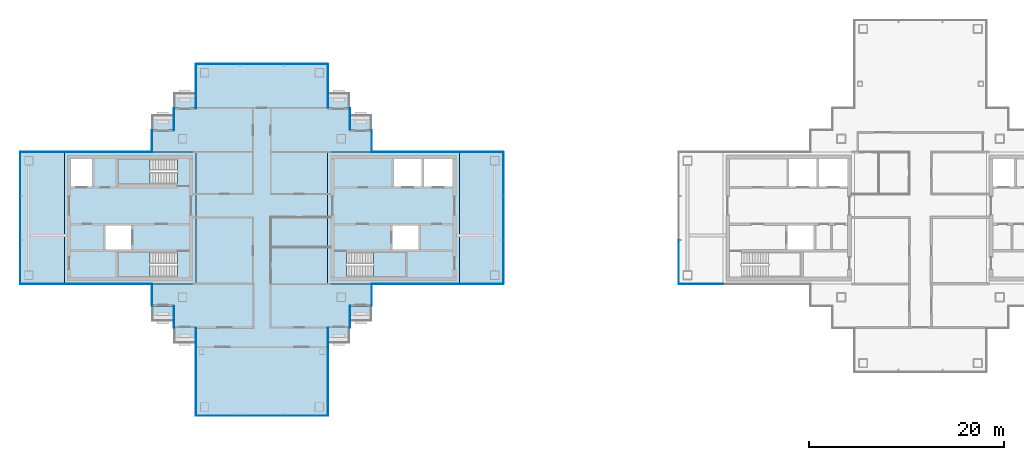
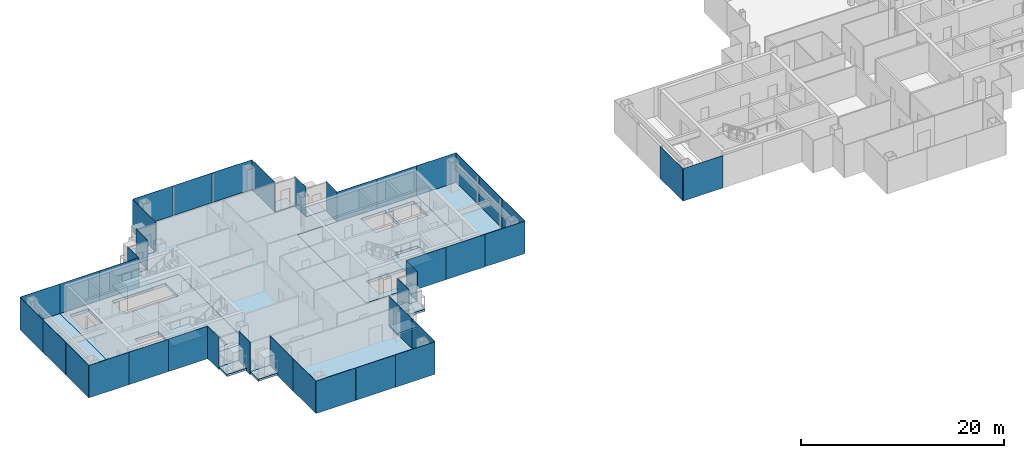
# One storey, part 7 of 16: 40 plates, 16 slabs, 25 elements without a shape of their own.
"""IFC4 building model written with IfcOpenShell, lengths in metres."""

from ifc_helpers import new_model, si_unit, direction, frame, origin, origin_2d, place, context, subcontext, project, spatial, polyline, rectangle, outline, extrude, material, layer, layer_set, type_object, element, aggregate, save


model = new_model("IFC4")

# Units and contexts
model_context = context("Model", 3, precision=1e-05, world=origin(), true_north=direction((0.0, 1.0)))
body_context = subcontext(model_context, "Body", "Model", "MODEL_VIEW")
ifc_project = project(units=[si_unit("LENGTHUNIT", "METRE"), si_unit("AREAUNIT", "SQUARE_METRE"), si_unit("VOLUMEUNIT", "CUBIC_METRE"), si_unit("PLANEANGLEUNIT", "RADIAN"), si_unit("MASSUNIT", "GRAM", prefix="KILO")], contexts=[model_context])

# Site, building, storey
site_placement = place(None, origin())
site = spatial("IfcSite", under=ifc_project, at=site_placement, CompositionType="ELEMENT")
building_placement = place(site_placement, origin())
building = spatial("IfcBuilding", under=site, at=building_placement, Name="Shamsa Quay Exchange Towers", CompositionType="ELEMENT")
storey_placement = place(building_placement, frame((0.0, 0.0, 261.60009765625)))
storey = spatial("IfcBuildingStorey", under=building, at=storey_placement, Name="L63", CompositionType="ELEMENT", Elevation=261.60009765625)

# Slabs
ifc_material_1 = material(Name="Precast concrete C40/50", Category="concrete")
ifc_layer_1 = layer(ifc_material_1, 0.25)
ifc_layer_set_1 = layer_set([ifc_layer_1], Name="BALCONY SLAB 250")
slab_type_1 = type_object("IfcSlabType", Name="BALCONY SLAB 250", PredefinedType="FLOOR", material=ifc_layer_set_1)
slab_1_placement = place(storey_placement, frame((0.0, 0.0, -0.25)))
element("IfcSlab", 1, at=slab_1_placement, inside=storey, type_object=slab_type_1, Name="Balcony T1-PKEN L63", PredefinedType="FLOOR", context=body_context, shape_type="SweptSolid", body=[
    extrude(outline(polyline([(-22.5, 9.0), (-24.7119140625, 9.0), (-24.7119140625, 10.550048828125), (-22.5, 10.550048828125), (-22.5, 9.0)])), origin(), (0.0, 0.0, 1.0), 0.25),
])
slab_2_placement = place(storey_placement, frame((0.0, 0.0, -0.25)))
element("IfcSlab", 2, at=slab_2_placement, inside=storey, type_object=slab_type_1, Name="Balcony T1-PKEN L63", PredefinedType="FLOOR", context=body_context, shape_type="SweptSolid", body=[
    extrude(outline(polyline([(-24.75, 11.25), (-26.9619140625, 11.25), (-26.9619140625, 12.800048828125), (-24.75, 12.800048828125), (-24.75, 11.25)])), origin(), (0.0, 0.0, 1.0), 0.25),
])
slab_3_placement = place(storey_placement, frame((0.0, 0.0, -0.25)))
element("IfcSlab", 3, at=slab_3_placement, inside=storey, type_object=slab_type_1, Name="Balcony T1-PKES L63", PredefinedType="FLOOR", context=body_context, shape_type="SweptSolid", body=[
    extrude(outline(polyline([(-24.7119140625, -9.0), (-22.5, -9.0), (-22.5, -10.550048828125), (-24.7119140625, -10.550048828125), (-24.7119140625, -9.0)])), origin(), (0.0, 0.0, 1.0), 0.25),
])
slab_4_placement = place(storey_placement, frame((0.0, 0.0, -0.25)))
element("IfcSlab", 4, at=slab_4_placement, inside=storey, type_object=slab_type_1, Name="Balcony T1-PKES L63", PredefinedType="FLOOR", context=body_context, shape_type="SweptSolid", body=[
    extrude(outline(polyline([(-26.9619140625, -11.25), (-24.75, -11.25), (-24.75, -12.800048828125), (-26.9619140625, -12.800048828125), (-26.9619140625, -11.25)])), origin(), (0.0, 0.0, 1.0), 0.25),
])
slab_5_placement = place(storey_placement, frame((0.0, 0.0, -0.25)))
element("IfcSlab", 5, at=slab_5_placement, inside=storey, type_object=slab_type_1, Name="Balcony T1-PKWN L63", PredefinedType="FLOOR", context=body_context, shape_type="SweptSolid", body=[
    extrude(outline(polyline([(-40.5380859375, 11.25), (-42.75, 11.25), (-42.75, 12.800048828125), (-40.5380859375, 12.800048828125), (-40.5380859375, 11.25)])), origin(), (0.0, 0.0, 1.0), 0.25),
])
slab_6_placement = place(storey_placement, frame((0.0, 0.0, -0.25)))
element("IfcSlab", 6, at=slab_6_placement, inside=storey, type_object=slab_type_1, Name="Balcony T1-PKWN L63", PredefinedType="FLOOR", context=body_context, shape_type="SweptSolid", body=[
    extrude(outline(polyline([(-42.7880859375, 9.0), (-45.0, 9.0), (-45.0, 10.550048828125), (-42.7880859375, 10.550048828125), (-42.7880859375, 9.0)])), origin(), (0.0, 0.0, 1.0), 0.25),
])
slab_7_placement = place(storey_placement, frame((0.0, 0.0, -0.25)))
element("IfcSlab", 7, at=slab_7_placement, inside=storey, type_object=slab_type_1, Name="Balcony T1-PKWS L63", PredefinedType="FLOOR", context=body_context, shape_type="SweptSolid", body=[
    extrude(outline(polyline([(-45.0, -9.0), (-42.7880859375, -9.0), (-42.7880859375, -10.550048828125), (-45.0, -10.550048828125), (-45.0, -9.0)])), origin(), (0.0, 0.0, 1.0), 0.25),
])
slab_8_placement = place(storey_placement, frame((0.0, 0.0, -0.25)))
element("IfcSlab", 8, at=slab_8_placement, inside=storey, type_object=slab_type_1, Name="Balcony T1-PKWS L63", PredefinedType="FLOOR", context=body_context, shape_type="SweptSolid", body=[
    extrude(outline(polyline([(-42.75, -11.25), (-40.5380859375, -11.25), (-40.5380859375, -12.800048828125), (-42.75, -12.800048828125), (-42.75, -11.25)])), origin(), (0.0, 0.0, 1.0), 0.25),
])
ifc_material_2 = material(Name="Concrete C50/60", Category="concrete")
ifc_layer_2 = layer(ifc_material_2, 0.35009765625)
ifc_layer_set_2 = layer_set([ifc_layer_2], Name="CORE FLOOR 350 C50/60")
slab_type_2 = type_object("IfcSlabType", Name="CORE FLOOR 350 C50/60", PredefinedType="FLOOR", material=ifc_layer_set_2)
slab_9_placement = place(storey_placement, frame((0.0, 0.0, -0.35009765625)))
element("IfcSlab", 9, at=slab_9_placement, inside=storey, type_object=slab_type_2, Name="Core floor T1A", PredefinedType="FLOOR", context=body_context, shape_type="SweptSolid", body=[
    extrude(outline(polyline([(-27.0, -6.75), (-13.5, -6.75), (-13.5, 6.75), (-27.0, 6.75), (-27.0, -6.75)]), holes=[polyline([(-25.099365234375, -6.050048828125), (-25.099365234375, -3.5), (-19.0, -3.5), (-19.0, -6.050048828125), (-25.099365234375, -6.050048828125)]), polyline([(-20.199951171875, 3.25), (-20.199951171875, 6.050048828125), (-17.39990234375, 6.050048828125), (-17.39990234375, 3.25), (-20.199951171875, 3.25)]), polyline([(-17.14990234375, 3.25), (-17.14990234375, 6.050048828125), (-14.199951171875, 6.050048828125), (-14.199951171875, 3.25), (-17.14990234375, 3.25)]), polyline([(-20.35009765625, -3.25), (-20.35009765625, -0.75), (-17.699951171875, -0.75), (-17.699951171875, -3.25), (-20.35009765625, -3.25)])]), origin(), (0.0, 0.0, 1.0), 0.35009765625),
])
slab_10_placement = place(storey_placement, frame((0.0, 0.0, -0.35009765625)))
element("IfcSlab", 10, at=slab_10_placement, inside=storey, type_object=slab_type_2, Name="Core floor T1B", PredefinedType="FLOOR", context=body_context, shape_type="SweptSolid", body=[
    extrude(outline(polyline([(-40.5, -6.75), (-40.5, 6.75), (-54.0, 6.75), (-54.0, -6.75), (-40.5, -6.75)]), holes=[polyline([(-42.400634765625, -3.5), (-42.400634765625, -6.050048828125), (-48.5, -6.050048828125), (-48.5, -3.5), (-42.400634765625, -3.5)]), polyline([(-42.400634765625, 6.050048828125), (-42.400634765625, 3.5), (-48.5, 3.5), (-48.5, 6.050048828125), (-42.400634765625, 6.050048828125)]), polyline([(-51.14990234375, 3.25), (-53.300048828125, 3.25), (-53.300048828125, 6.050048828125), (-51.14990234375, 6.050048828125), (-51.14990234375, 3.25)]), polyline([(-47.14990234375, -3.25), (-49.800048828125, -3.25), (-49.800048828125, -0.75), (-47.14990234375, -0.75), (-47.14990234375, -3.25)])]), origin(), (0.0, 0.0, 1.0), 0.35009765625),
])

# Stair, slab
ifc_material_3 = material(Name="Concrete C40/50", Category="concrete")
stair_type = type_object("IfcStairType", Name="EXIT STAIR 22 RISERS 177 MM", PredefinedType="HALF_TURN_STAIR", material=ifc_material_3)
stair_1_placement = place(storey_placement, origin())
stair_1 = element("IfcStair", 11, at=stair_1_placement, inside=storey, type_object=stair_type, Name="L63 Exit stair ST1", PredefinedType="HALF_TURN_STAIR")
ifc_layer_3 = layer(ifc_material_3, 0.199951171875)
ifc_layer_set_3 = layer_set([ifc_layer_3], Name="CORE STAIR LANDING")
slab_type_3 = type_object("IfcSlabType", Name="CORE STAIR LANDING", PredefinedType="LANDING", material=ifc_layer_set_3)
slab_11_placement = place(storey_placement, frame((0.0, 0.0, 1.75)))
slab_11 = element("IfcSlab", 12, at=slab_11_placement, type_object=slab_type_3, Name="ST1 landing 1", PredefinedType="LANDING", context=body_context, shape_type="SweptSolid", body=[
    extrude(outline(polyline([(-22.300048828125, -6.050048828125), (-19.0, -6.050048828125), (-19.0, -3.5), (-22.300048828125, -3.5), (-22.300048828125, -6.050048828125)])), origin(), (0.0, 0.0, 1.0), 0.199951171875),
])
aggregate(stair_1, [slab_11])

stair_2_placement = place(storey_placement, origin())
stair_2 = element("IfcStair", 13, at=stair_2_placement, inside=storey, type_object=stair_type, Name="L63 Exit stair ST2", PredefinedType="HALF_TURN_STAIR")
slab_12_placement = place(storey_placement, frame((0.0, 0.0, 1.75)))
slab_12 = element("IfcSlab", 14, at=slab_12_placement, type_object=slab_type_3, Name="ST2 landing 1", PredefinedType="LANDING", context=body_context, shape_type="SweptSolid", body=[
    extrude(outline(polyline([(-45.199951171875, -3.5), (-48.5, -3.5), (-48.5, -6.050048828125), (-45.199951171875, -6.050048828125), (-45.199951171875, -3.5)])), origin(), (0.0, 0.0, 1.0), 0.199951171875),
])
aggregate(stair_2, [slab_12])

stair_3_placement = place(storey_placement, origin())
stair_3 = element("IfcStair", 15, at=stair_3_placement, inside=storey, type_object=stair_type, Name="L63 Exit stair ST3", PredefinedType="HALF_TURN_STAIR")
slab_13_placement = place(storey_placement, frame((0.0, 0.0, 1.75)))
slab_13 = element("IfcSlab", 16, at=slab_13_placement, type_object=slab_type_3, Name="ST3 landing 1", PredefinedType="LANDING", context=body_context, shape_type="SweptSolid", body=[
    extrude(outline(polyline([(-45.199951171875, 6.050048828125), (-48.5, 6.050048828125), (-48.5, 3.5), (-45.199951171875, 3.5), (-45.199951171875, 6.050048828125)])), origin(), (0.0, 0.0, 1.0), 0.199951171875),
])
aggregate(stair_3, [slab_13])

# Curtain wall, plates
ifc_material_4 = material(Name="Aluminium EN AW-6063 T6, black anodised", Category="aluminium")
ifc_layer_4 = layer(ifc_material_4, 0.280029296875)
ifc_layer_set_4 = layer_set([ifc_layer_4], Name="CW-1 UNITISED VISION GLASS")
curtain_wall_type_1 = type_object("IfcCurtainWallType", Name="CW-1 UNITISED VISION GLASS", PredefinedType="NOTDEFINED", material=ifc_layer_set_4)
curtain_wall_1_placement = place(storey_placement, origin())
curtain_wall_1 = element("IfcCurtainWall", 17, at=curtain_wall_1_placement, inside=storey, type_object=curtain_wall_type_1, Name="CW1 T1-FLK-V-W L63", PredefinedType="NOTDEFINED")
ifc_material_5 = material(Name="Glass, laminated, dark tinted", Category="glass")
ifc_layer_5 = layer(ifc_material_5, 0.0400390625)
ifc_layer_set_5 = layer_set([ifc_layer_5], Name="CW-1 VISION GLASS 40")
plate_type_1 = type_object("IfcPlateType", Name="CW-1 VISION GLASS 40", PredefinedType="CURTAIN_PANEL", material=ifc_layer_set_5)
plate_1_placement = place(storey_placement, frame((-40.52001953125, -13.52587890625, -0.35009765625), z_axis=(0.0, 0.0, 1.0), x_axis=(0.0, -1.0, 0.0)))
plate_1 = element("IfcPlate", 18, at=plate_1_placement, type_object=plate_type_1, Name="CW1 glass panel", PredefinedType="CURTAIN_PANEL", context=body_context, shape_type="SweptSolid", body=[
    extrude(rectangle(XDim=4.47607421875, YDim=0.0400390625, at=origin_2d()), origin(), (0.0, 0.0, 1.0), 3.89990234375),
])
plate_2_placement = place(storey_placement, frame((-40.52001953125, -18.011962890625, -0.35009765625), z_axis=(0.0, 0.0, 1.0), x_axis=(0.0, -1.0, 0.0)))
plate_2 = element("IfcPlate", 19, at=plate_2_placement, type_object=plate_type_1, Name="CW1 glass panel", PredefinedType="CURTAIN_PANEL", context=body_context, shape_type="SweptSolid", body=[
    extrude(rectangle(XDim=4.47607421875, YDim=0.0400390625, at=origin_2d()), origin(), (0.0, 0.0, 1.0), 3.89990234375),
])
aggregate(curtain_wall_1, [plate_1, plate_2])

curtain_wall_2_placement = place(storey_placement, origin())
curtain_wall_2 = element("IfcCurtainWall", 20, at=curtain_wall_2_placement, inside=storey, type_object=curtain_wall_type_1, Name="CW1 T1-END-V- L63", PredefinedType="NOTDEFINED")
plate_3_placement = place(storey_placement, frame((-38.25244140625, -20.27001953125, -0.35009765625)))
plate_3 = element("IfcPlate", 21, at=plate_3_placement, type_object=plate_type_1, Name="CW1 glass panel", PredefinedType="CURTAIN_PANEL", context=body_context, shape_type="SweptSolid", body=[
    extrude(rectangle(XDim=4.4951171875, YDim=0.0400390625, at=origin_2d()), origin(), (0.0, 0.0, 1.0), 3.89990234375),
])
plate_4_placement = place(storey_placement, frame((-33.75, -20.27001953125, -0.35009765625)))
plate_4 = element("IfcPlate", 22, at=plate_4_placement, type_object=plate_type_1, Name="CW1 glass panel", PredefinedType="CURTAIN_PANEL", context=body_context, shape_type="SweptSolid", body=[
    extrude(rectangle(XDim=4.489990234375, YDim=0.0400390625, at=origin_2d()), origin(), (0.0, 0.0, 1.0), 3.89990234375),
])
plate_5_placement = place(storey_placement, frame((-29.24755859375, -20.27001953125, -0.35009765625)))
plate_5 = element("IfcPlate", 23, at=plate_5_placement, type_object=plate_type_1, Name="CW1 glass panel", PredefinedType="CURTAIN_PANEL", context=body_context, shape_type="SweptSolid", body=[
    extrude(rectangle(XDim=4.4951171875, YDim=0.0400390625, at=origin_2d()), origin(), (0.0, 0.0, 1.0), 3.89990234375),
])
aggregate(curtain_wall_2, [plate_3, plate_4, plate_5])

curtain_wall_3_placement = place(storey_placement, origin())
curtain_wall_3 = element("IfcCurtainWall", 24, at=curtain_wall_3_placement, inside=storey, type_object=curtain_wall_type_1, Name="CW1 T1-FLK-V-E L63", PredefinedType="NOTDEFINED")
plate_6_placement = place(storey_placement, frame((-26.97998046875, -18.00244140625, -0.35009765625), z_axis=(0.0, 0.0, 1.0), x_axis=(0.0, 1.0, 0.0)))
plate_6 = element("IfcPlate", 25, at=plate_6_placement, type_object=plate_type_1, Name="CW1 glass panel", PredefinedType="CURTAIN_PANEL", context=body_context, shape_type="SweptSolid", body=[
    extrude(rectangle(XDim=4.4951171875, YDim=0.0400390625, at=origin_2d()), origin(), (0.0, 0.0, 1.0), 3.89990234375),
])
plate_7_placement = place(storey_placement, frame((-26.97998046875, -13.49755859375, -0.35009765625), z_axis=(0.0, 0.0, 1.0), x_axis=(0.0, 1.0, 0.0)))
plate_7 = element("IfcPlate", 26, at=plate_7_placement, type_object=plate_type_1, Name="CW1 glass panel", PredefinedType="CURTAIN_PANEL", context=body_context, shape_type="SweptSolid", body=[
    extrude(rectangle(XDim=4.4951171875, YDim=0.0400390625, at=origin_2d()), origin(), (0.0, 0.0, 1.0), 3.89990234375),
])
aggregate(curtain_wall_3, [plate_6, plate_7])

# Curtain wall, plate
curtain_wall_4_placement = place(storey_placement, origin())
curtain_wall_4 = element("IfcCurtainWall", 27, at=curtain_wall_4_placement, inside=storey, type_object=curtain_wall_type_1, Name="CW1 T1-FLK-U+S L63", PredefinedType="NOTDEFINED")
plate_8_placement = place(storey_placement, frame((-11.25, -6.77001953125, -0.35009765625)))
plate_8 = element("IfcPlate", 28, at=plate_8_placement, type_object=plate_type_1, Name="CW1 glass panel", PredefinedType="CURTAIN_PANEL", context=body_context, shape_type="SweptSolid", body=[
    extrude(rectangle(XDim=4.5, YDim=0.0400390625, at=origin_2d()), origin(), (0.0, 0.0, 1.0), 3.89990234375),
])
aggregate(curtain_wall_4, [plate_8])

# Curtain wall, plates
curtain_wall_5_placement = place(storey_placement, origin())
curtain_wall_5 = element("IfcCurtainWall", 29, at=curtain_wall_5_placement, inside=storey, type_object=curtain_wall_type_1, Name="CW1 T1-END-U+ L63", PredefinedType="NOTDEFINED")
plate_9_placement = place(storey_placement, frame((-8.97998046875, -4.50244140625, -0.35009765625), z_axis=(0.0, 0.0, 1.0), x_axis=(0.0, 1.0, 0.0)))
plate_9 = element("IfcPlate", 30, at=plate_9_placement, type_object=plate_type_1, Name="CW1 glass panel", PredefinedType="CURTAIN_PANEL", context=body_context, shape_type="SweptSolid", body=[
    extrude(rectangle(XDim=4.4951171875, YDim=0.0400390625, at=origin_2d()), origin(), (0.0, 0.0, 1.0), 3.89990234375),
])
plate_10_placement = place(storey_placement, frame((-8.97998046875, 0.0, -0.35009765625), z_axis=(0.0, 0.0, 1.0), x_axis=(0.0, 1.0, 0.0)))
plate_10 = element("IfcPlate", 31, at=plate_10_placement, type_object=plate_type_1, Name="CW1 glass panel", PredefinedType="CURTAIN_PANEL", context=body_context, shape_type="SweptSolid", body=[
    extrude(rectangle(XDim=4.489990234375, YDim=0.0400390625, at=origin_2d()), origin(), (0.0, 0.0, 1.0), 3.89990234375),
])
plate_11_placement = place(storey_placement, frame((-8.97998046875, 4.50244140625, -0.35009765625), z_axis=(0.0, 0.0, 1.0), x_axis=(0.0, 1.0, 0.0)))
plate_11 = element("IfcPlate", 32, at=plate_11_placement, type_object=plate_type_1, Name="CW1 glass panel", PredefinedType="CURTAIN_PANEL", context=body_context, shape_type="SweptSolid", body=[
    extrude(rectangle(XDim=4.4951171875, YDim=0.0400390625, at=origin_2d()), origin(), (0.0, 0.0, 1.0), 3.89990234375),
])
aggregate(curtain_wall_5, [plate_9, plate_10, plate_11])

# Curtain wall, plate
curtain_wall_6_placement = place(storey_placement, origin())
curtain_wall_6 = element("IfcCurtainWall", 33, at=curtain_wall_6_placement, inside=storey, type_object=curtain_wall_type_1, Name="CW1 T1-FLK-U+N L63", PredefinedType="NOTDEFINED")
plate_12_placement = place(storey_placement, frame((-11.25, 6.77001953125, -0.35009765625), z_axis=(0.0, 0.0, 1.0), x_axis=(-1.0, 0.0, 0.0)))
plate_12 = element("IfcPlate", 34, at=plate_12_placement, type_object=plate_type_1, Name="CW1 glass panel", PredefinedType="CURTAIN_PANEL", context=body_context, shape_type="SweptSolid", body=[
    extrude(rectangle(XDim=4.5, YDim=0.0400390625, at=origin_2d()), origin(), (0.0, 0.0, 1.0), 3.89990234375),
])
aggregate(curtain_wall_6, [plate_12])

curtain_wall_7_placement = place(storey_placement, origin())
curtain_wall_7 = element("IfcCurtainWall", 35, at=curtain_wall_7_placement, inside=storey, type_object=curtain_wall_type_1, Name="CW1 T1-FLK-V+E L63", PredefinedType="NOTDEFINED")
plate_13_placement = place(storey_placement, frame((-26.97998046875, 13.51904296875, -0.35009765625), z_axis=(0.0, 0.0, 1.0), x_axis=(0.0, 1.0, 0.0)))
plate_13 = element("IfcPlate", 36, at=plate_13_placement, type_object=plate_type_1, Name="CW1 glass panel", PredefinedType="CURTAIN_PANEL", context=body_context, shape_type="SweptSolid", body=[
    extrude(rectangle(XDim=4.4619140625, YDim=0.0400390625, at=origin_2d()), origin(), (0.0, 0.0, 1.0), 3.89990234375),
])
aggregate(curtain_wall_7, [plate_13])

# Curtain wall, plates
curtain_wall_8_placement = place(storey_placement, origin())
curtain_wall_8 = element("IfcCurtainWall", 37, at=curtain_wall_8_placement, inside=storey, type_object=curtain_wall_type_1, Name="CW1 T1-END-V+ L63", PredefinedType="NOTDEFINED")
plate_14_placement = place(storey_placement, frame((-29.24755859375, 15.77001953125, -0.35009765625), z_axis=(0.0, 0.0, 1.0), x_axis=(-1.0, 0.0, 0.0)))
plate_14 = element("IfcPlate", 38, at=plate_14_placement, type_object=plate_type_1, Name="CW1 glass panel", PredefinedType="CURTAIN_PANEL", context=body_context, shape_type="SweptSolid", body=[
    extrude(rectangle(XDim=4.4951171875, YDim=0.0400390625, at=origin_2d()), origin(), (0.0, 0.0, 1.0), 3.89990234375),
])
plate_15_placement = place(storey_placement, frame((-33.75, 15.77001953125, -0.35009765625), z_axis=(0.0, 0.0, 1.0), x_axis=(-1.0, 0.0, 0.0)))
plate_15 = element("IfcPlate", 39, at=plate_15_placement, type_object=plate_type_1, Name="CW1 glass panel", PredefinedType="CURTAIN_PANEL", context=body_context, shape_type="SweptSolid", body=[
    extrude(rectangle(XDim=4.489990234375, YDim=0.0400390625, at=origin_2d()), origin(), (0.0, 0.0, 1.0), 3.89990234375),
])
plate_16_placement = place(storey_placement, frame((-38.25244140625, 15.77001953125, -0.35009765625), z_axis=(0.0, 0.0, 1.0), x_axis=(-1.0, 0.0, 0.0)))
plate_16 = element("IfcPlate", 40, at=plate_16_placement, type_object=plate_type_1, Name="CW1 glass panel", PredefinedType="CURTAIN_PANEL", context=body_context, shape_type="SweptSolid", body=[
    extrude(rectangle(XDim=4.4951171875, YDim=0.0400390625, at=origin_2d()), origin(), (0.0, 0.0, 1.0), 3.89990234375),
])
aggregate(curtain_wall_8, [plate_14, plate_15, plate_16])

# Curtain wall, plate
curtain_wall_9_placement = place(storey_placement, origin())
curtain_wall_9 = element("IfcCurtainWall", 41, at=curtain_wall_9_placement, inside=storey, type_object=curtain_wall_type_1, Name="CW1 T1-FLK-V+W L63", PredefinedType="NOTDEFINED")
plate_17_placement = place(storey_placement, frame((-40.52001953125, 13.5, -0.35009765625), z_axis=(0.0, 0.0, 1.0), x_axis=(0.0, -1.0, 0.0)))
plate_17 = element("IfcPlate", 42, at=plate_17_placement, type_object=plate_type_1, Name="CW1 glass panel", PredefinedType="CURTAIN_PANEL", context=body_context, shape_type="SweptSolid", body=[
    extrude(rectangle(XDim=4.5, YDim=0.0400390625, at=origin_2d()), origin(), (0.0, 0.0, 1.0), 3.89990234375),
])
aggregate(curtain_wall_9, [plate_17])

curtain_wall_10_placement = place(storey_placement, origin())
curtain_wall_10 = element("IfcCurtainWall", 43, at=curtain_wall_10_placement, inside=storey, type_object=curtain_wall_type_1, Name="CW1 T1-FLK-U-N L63", PredefinedType="NOTDEFINED")
plate_18_placement = place(storey_placement, frame((-56.25, 6.77001953125, -0.35009765625), z_axis=(0.0, 0.0, 1.0), x_axis=(-1.0, 0.0, 0.0)))
plate_18 = element("IfcPlate", 44, at=plate_18_placement, type_object=plate_type_1, Name="CW1 glass panel", PredefinedType="CURTAIN_PANEL", context=body_context, shape_type="SweptSolid", body=[
    extrude(rectangle(XDim=4.5, YDim=0.0400390625, at=origin_2d()), origin(), (0.0, 0.0, 1.0), 3.89990234375),
])
aggregate(curtain_wall_10, [plate_18])

# Curtain wall, plates
curtain_wall_11_placement = place(storey_placement, origin())
curtain_wall_11 = element("IfcCurtainWall", 45, at=curtain_wall_11_placement, inside=storey, type_object=curtain_wall_type_1, Name="CW1 T1-END-U- L63", PredefinedType="NOTDEFINED")
plate_19_placement = place(storey_placement, frame((-58.52001953125, 4.50244140625, -0.35009765625), z_axis=(0.0, 0.0, 1.0), x_axis=(0.0, -1.0, 0.0)))
plate_19 = element("IfcPlate", 46, at=plate_19_placement, type_object=plate_type_1, Name="CW1 glass panel", PredefinedType="CURTAIN_PANEL", context=body_context, shape_type="SweptSolid", body=[
    extrude(rectangle(XDim=4.4951171875, YDim=0.0400390625, at=origin_2d()), origin(), (0.0, 0.0, 1.0), 3.89990234375),
])
plate_20_placement = place(storey_placement, frame((-58.52001953125, 0.0, -0.35009765625), z_axis=(0.0, 0.0, 1.0), x_axis=(0.0, -1.0, 0.0)))
plate_20 = element("IfcPlate", 47, at=plate_20_placement, type_object=plate_type_1, Name="CW1 glass panel", PredefinedType="CURTAIN_PANEL", context=body_context, shape_type="SweptSolid", body=[
    extrude(rectangle(XDim=4.489990234375, YDim=0.0400390625, at=origin_2d()), origin(), (0.0, 0.0, 1.0), 3.89990234375),
])
plate_21_placement = place(storey_placement, frame((-58.52001953125, -4.50244140625, -0.35009765625), z_axis=(0.0, 0.0, 1.0), x_axis=(0.0, -1.0, 0.0)))
plate_21 = element("IfcPlate", 48, at=plate_21_placement, type_object=plate_type_1, Name="CW1 glass panel", PredefinedType="CURTAIN_PANEL", context=body_context, shape_type="SweptSolid", body=[
    extrude(rectangle(XDim=4.4951171875, YDim=0.0400390625, at=origin_2d()), origin(), (0.0, 0.0, 1.0), 3.89990234375),
])
aggregate(curtain_wall_11, [plate_19, plate_20, plate_21])

# Curtain wall, plate
curtain_wall_12_placement = place(storey_placement, origin())
curtain_wall_12 = element("IfcCurtainWall", 49, at=curtain_wall_12_placement, inside=storey, type_object=curtain_wall_type_1, Name="CW1 T1-FLK-U-S L63", PredefinedType="NOTDEFINED")
plate_22_placement = place(storey_placement, frame((-56.25, -6.77001953125, -0.35009765625)))
plate_22 = element("IfcPlate", 50, at=plate_22_placement, type_object=plate_type_1, Name="CW1 glass panel", PredefinedType="CURTAIN_PANEL", context=body_context, shape_type="SweptSolid", body=[
    extrude(rectangle(XDim=4.5, YDim=0.0400390625, at=origin_2d()), origin(), (0.0, 0.0, 1.0), 3.89990234375),
])
aggregate(curtain_wall_12, [plate_22])

curtain_wall_13_placement = place(storey_placement, origin())
curtain_wall_13 = element("IfcCurtainWall", 51, at=curtain_wall_13_placement, inside=storey, type_object=curtain_wall_type_1, Name="CW1 T2-END-V+ L63", PredefinedType="NOTDEFINED")
plate_23_placement = place(storey_placement, frame((8.97998046875, -4.50244140625, -0.35009765625), z_axis=(0.0, 0.0, 1.0), x_axis=(0.0, -1.0, 0.0)))
plate_23 = element("IfcPlate", 52, at=plate_23_placement, type_object=plate_type_1, Name="CW1 glass panel", PredefinedType="CURTAIN_PANEL", context=body_context, shape_type="SweptSolid", body=[
    extrude(rectangle(XDim=4.4951171875, YDim=0.0400390625, at=origin_2d()), origin(), (0.0, 0.0, 1.0), 3.89990234375),
])
aggregate(curtain_wall_13, [plate_23])

curtain_wall_14_placement = place(storey_placement, origin())
curtain_wall_14 = element("IfcCurtainWall", 53, at=curtain_wall_14_placement, inside=storey, type_object=curtain_wall_type_1, Name="CW1 T2-FLK-V+W L63", PredefinedType="NOTDEFINED")
plate_24_placement = place(storey_placement, frame((11.25, -6.77001953125, -0.35009765625)))
plate_24 = element("IfcPlate", 54, at=plate_24_placement, type_object=plate_type_1, Name="CW1 glass panel", PredefinedType="CURTAIN_PANEL", context=body_context, shape_type="SweptSolid", body=[
    extrude(rectangle(XDim=4.5, YDim=0.0400390625, at=origin_2d()), origin(), (0.0, 0.0, 1.0), 3.89990234375),
])
aggregate(curtain_wall_14, [plate_24])

# Curtain wall, plates
ifc_layer_6 = layer(ifc_material_4, 0.303955078125)
ifc_layer_set_6 = layer_set([ifc_layer_6], Name="CW-2 UNITISED OPAQUE SPANDREL GLASS")
curtain_wall_type_2 = type_object("IfcCurtainWallType", Name="CW-2 UNITISED OPAQUE SPANDREL GLASS", PredefinedType="NOTDEFINED", material=ifc_layer_set_6)
curtain_wall_15_placement = place(storey_placement, origin())
curtain_wall_15 = element("IfcCurtainWall", 55, at=curtain_wall_15_placement, inside=storey, type_object=curtain_wall_type_2, Name="CW2 T1-FLK-U+S L63", PredefinedType="NOTDEFINED")
ifc_material_6 = material(Name="Glass, laminated, black enamelled opaque", Category="glass")
ifc_layer_7 = layer(ifc_material_6, 0.0439453125)
ifc_layer_set_7 = layer_set([ifc_layer_7], Name="CW-2 SPANDREL GLASS 44")
plate_type_2 = type_object("IfcPlateType", Name="CW-2 SPANDREL GLASS 44", PredefinedType="CURTAIN_PANEL", material=ifc_layer_set_7)
plate_25_placement = place(storey_placement, frame((-20.22412109375, -6.77197265625, -0.35009765625)))
plate_25 = element("IfcPlate", 56, at=plate_25_placement, type_object=plate_type_2, Name="CW2 glass panel", PredefinedType="CURTAIN_PANEL", context=body_context, shape_type="SweptSolid", body=[
    extrude(rectangle(XDim=4.47607421875, YDim=0.0439453125, at=origin_2d()), origin(), (0.0, 0.0, 1.0), 3.89990234375),
])
plate_26_placement = place(storey_placement, frame((-15.738037109375, -6.77197265625, -0.35009765625)))
plate_26 = element("IfcPlate", 57, at=plate_26_placement, type_object=plate_type_2, Name="CW2 glass panel", PredefinedType="CURTAIN_PANEL", context=body_context, shape_type="SweptSolid", body=[
    extrude(rectangle(XDim=4.47607421875, YDim=0.0439453125, at=origin_2d()), origin(), (0.0, 0.0, 1.0), 3.89990234375),
])
aggregate(curtain_wall_15, [plate_25, plate_26])

curtain_wall_16_placement = place(storey_placement, origin())
curtain_wall_16 = element("IfcCurtainWall", 58, at=curtain_wall_16_placement, inside=storey, type_object=curtain_wall_type_2, Name="CW2 T1-FLK-U+N L63", PredefinedType="NOTDEFINED")
plate_27_placement = place(storey_placement, frame((-15.74755859375, 6.77197265625, -0.35009765625), z_axis=(0.0, 0.0, 1.0), x_axis=(-1.0, 0.0, 0.0)))
plate_27 = element("IfcPlate", 59, at=plate_27_placement, type_object=plate_type_2, Name="CW2 glass panel", PredefinedType="CURTAIN_PANEL", context=body_context, shape_type="SweptSolid", body=[
    extrude(rectangle(XDim=4.4951171875, YDim=0.0439453125, at=origin_2d()), origin(), (0.0, 0.0, 1.0), 3.89990234375),
])
plate_28_placement = place(storey_placement, frame((-20.25244140625, 6.77197265625, -0.35009765625), z_axis=(0.0, 0.0, 1.0), x_axis=(-1.0, 0.0, 0.0)))
plate_28 = element("IfcPlate", 60, at=plate_28_placement, type_object=plate_type_2, Name="CW2 glass panel", PredefinedType="CURTAIN_PANEL", context=body_context, shape_type="SweptSolid", body=[
    extrude(rectangle(XDim=4.4951171875, YDim=0.0439453125, at=origin_2d()), origin(), (0.0, 0.0, 1.0), 3.89990234375),
])
aggregate(curtain_wall_16, [plate_27, plate_28])

curtain_wall_17_placement = place(storey_placement, origin())
curtain_wall_17 = element("IfcCurtainWall", 61, at=curtain_wall_17_placement, inside=storey, type_object=curtain_wall_type_2, Name="CW2 T1-FLK-U-N L63", PredefinedType="NOTDEFINED")
plate_29_placement = place(storey_placement, frame((-47.27587890625, 6.77197265625, -0.35009765625), z_axis=(0.0, 0.0, 1.0), x_axis=(-1.0, 0.0, 0.0)))
plate_29 = element("IfcPlate", 62, at=plate_29_placement, type_object=plate_type_2, Name="CW2 glass panel", PredefinedType="CURTAIN_PANEL", context=body_context, shape_type="SweptSolid", body=[
    extrude(rectangle(XDim=4.47607421875, YDim=0.0439453125, at=origin_2d()), origin(), (0.0, 0.0, 1.0), 3.89990234375),
])
plate_30_placement = place(storey_placement, frame((-51.761962890625, 6.77197265625, -0.35009765625), z_axis=(0.0, 0.0, 1.0), x_axis=(-1.0, 0.0, 0.0)))
plate_30 = element("IfcPlate", 63, at=plate_30_placement, type_object=plate_type_2, Name="CW2 glass panel", PredefinedType="CURTAIN_PANEL", context=body_context, shape_type="SweptSolid", body=[
    extrude(rectangle(XDim=4.47607421875, YDim=0.0439453125, at=origin_2d()), origin(), (0.0, 0.0, 1.0), 3.89990234375),
])
aggregate(curtain_wall_17, [plate_29, plate_30])

curtain_wall_18_placement = place(storey_placement, origin())
curtain_wall_18 = element("IfcCurtainWall", 64, at=curtain_wall_18_placement, inside=storey, type_object=curtain_wall_type_2, Name="CW2 T1-FLK-U-S L63", PredefinedType="NOTDEFINED")
plate_31_placement = place(storey_placement, frame((-51.75244140625, -6.77197265625, -0.35009765625)))
plate_31 = element("IfcPlate", 65, at=plate_31_placement, type_object=plate_type_2, Name="CW2 glass panel", PredefinedType="CURTAIN_PANEL", context=body_context, shape_type="SweptSolid", body=[
    extrude(rectangle(XDim=4.4951171875, YDim=0.0439453125, at=origin_2d()), origin(), (0.0, 0.0, 1.0), 3.89990234375),
])
plate_32_placement = place(storey_placement, frame((-47.24755859375, -6.77197265625, -0.35009765625)))
plate_32 = element("IfcPlate", 66, at=plate_32_placement, type_object=plate_type_2, Name="CW2 glass panel", PredefinedType="CURTAIN_PANEL", context=body_context, shape_type="SweptSolid", body=[
    extrude(rectangle(XDim=4.4951171875, YDim=0.0439453125, at=origin_2d()), origin(), (0.0, 0.0, 1.0), 3.89990234375),
])
aggregate(curtain_wall_18, [plate_31, plate_32])

ifc_layer_8 = layer(ifc_material_4, 0.256103515625)
ifc_layer_set_8 = layer_set([ifc_layer_8], Name="CW-4 POCKET SERRATED GLAZING")
curtain_wall_type_3 = type_object("IfcCurtainWallType", Name="CW-4 POCKET SERRATED GLAZING", PredefinedType="NOTDEFINED", material=ifc_layer_set_8)
curtain_wall_19_placement = place(storey_placement, origin())
curtain_wall_19 = element("IfcCurtainWall", 67, at=curtain_wall_19_placement, inside=storey, type_object=curtain_wall_type_3, Name="CW4 PKWS L63", PredefinedType="NOTDEFINED")
ifc_layer_9 = layer(ifc_material_5, 0.035888671875)
ifc_layer_set_9 = layer_set([ifc_layer_9], Name="CW-4 POCKET GLASS 36")
plate_type_3 = type_object("IfcPlateType", Name="CW-4 POCKET GLASS 36", PredefinedType="CURTAIN_PANEL", material=ifc_layer_set_9)
plate_33_placement = place(storey_placement, frame((-42.76806640625, -10.14404296875, -0.35009765625), z_axis=(0.0, 0.0, 1.0), x_axis=(0.0, -1.0, 0.0)))
plate_33 = element("IfcPlate", 68, at=plate_33_placement, type_object=plate_type_3, Name="CW4 glass panel", PredefinedType="CURTAIN_PANEL", context=body_context, shape_type="SweptSolid", body=[
    extrude(rectangle(XDim=2.2119140625, YDim=0.035888671875, at=origin_2d()), origin(), (0.0, 0.0, 1.0), 3.89990234375),
])
plate_34_placement = place(storey_placement, frame((-45.01806640625, -7.89794921875, -0.35009765625), z_axis=(0.0, 0.0, 1.0), x_axis=(0.0, -1.0, 0.0)))
plate_34 = element("IfcPlate", 69, at=plate_34_placement, type_object=plate_type_3, Name="CW4 glass panel", PredefinedType="CURTAIN_PANEL", context=body_context, shape_type="SweptSolid", body=[
    extrude(rectangle(XDim=2.2041015625, YDim=0.035888671875, at=origin_2d()), origin(), (0.0, 0.0, 1.0), 3.89990234375),
])
aggregate(curtain_wall_19, [plate_33, plate_34])

curtain_wall_20_placement = place(storey_placement, origin())
curtain_wall_20 = element("IfcCurtainWall", 70, at=curtain_wall_20_placement, inside=storey, type_object=curtain_wall_type_3, Name="CW4 PKES L63", PredefinedType="NOTDEFINED")
plate_35_placement = place(storey_placement, frame((-24.73193359375, -10.125, -0.35009765625), z_axis=(0.0, 0.0, 1.0), x_axis=(0.0, 1.0, 0.0)))
plate_35 = element("IfcPlate", 71, at=plate_35_placement, type_object=plate_type_3, Name="CW4 glass panel", PredefinedType="CURTAIN_PANEL", context=body_context, shape_type="SweptSolid", body=[
    extrude(rectangle(XDim=2.25, YDim=0.035888671875, at=origin_2d()), origin(), (0.0, 0.0, 1.0), 3.89990234375),
])
plate_36_placement = place(storey_placement, frame((-22.48193359375, -7.875, -0.35009765625), z_axis=(0.0, 0.0, 1.0), x_axis=(0.0, 1.0, 0.0)))
plate_36 = element("IfcPlate", 72, at=plate_36_placement, type_object=plate_type_3, Name="CW4 glass panel", PredefinedType="CURTAIN_PANEL", context=body_context, shape_type="SweptSolid", body=[
    extrude(rectangle(XDim=2.25, YDim=0.035888671875, at=origin_2d()), origin(), (0.0, 0.0, 1.0), 3.89990234375),
])
aggregate(curtain_wall_20, [plate_35, plate_36])

curtain_wall_21_placement = place(storey_placement, origin())
curtain_wall_21 = element("IfcCurtainWall", 73, at=curtain_wall_21_placement, inside=storey, type_object=curtain_wall_type_3, Name="CW4 PKEN L63", PredefinedType="NOTDEFINED")
plate_37_placement = place(storey_placement, frame((-22.48193359375, 7.89794921875, -0.35009765625), z_axis=(0.0, 0.0, 1.0), x_axis=(0.0, 1.0, 0.0)))
plate_37 = element("IfcPlate", 74, at=plate_37_placement, type_object=plate_type_3, Name="CW4 glass panel", PredefinedType="CURTAIN_PANEL", context=body_context, shape_type="SweptSolid", body=[
    extrude(rectangle(XDim=2.2041015625, YDim=0.035888671875, at=origin_2d()), origin(), (0.0, 0.0, 1.0), 3.89990234375),
])
plate_38_placement = place(storey_placement, frame((-24.73193359375, 10.14404296875, -0.35009765625), z_axis=(0.0, 0.0, 1.0), x_axis=(0.0, 1.0, 0.0)))
plate_38 = element("IfcPlate", 75, at=plate_38_placement, type_object=plate_type_3, Name="CW4 glass panel", PredefinedType="CURTAIN_PANEL", context=body_context, shape_type="SweptSolid", body=[
    extrude(rectangle(XDim=2.2119140625, YDim=0.035888671875, at=origin_2d()), origin(), (0.0, 0.0, 1.0), 3.89990234375),
])
aggregate(curtain_wall_21, [plate_37, plate_38])

curtain_wall_22_placement = place(storey_placement, origin())
curtain_wall_22 = element("IfcCurtainWall", 76, at=curtain_wall_22_placement, inside=storey, type_object=curtain_wall_type_3, Name="CW4 PKWN L63", PredefinedType="NOTDEFINED")
plate_39_placement = place(storey_placement, frame((-42.76806640625, 10.125, -0.35009765625), z_axis=(0.0, 0.0, 1.0), x_axis=(0.0, -1.0, 0.0)))
plate_39 = element("IfcPlate", 77, at=plate_39_placement, type_object=plate_type_3, Name="CW4 glass panel", PredefinedType="CURTAIN_PANEL", context=body_context, shape_type="SweptSolid", body=[
    extrude(rectangle(XDim=2.25, YDim=0.035888671875, at=origin_2d()), origin(), (0.0, 0.0, 1.0), 3.89990234375),
])
plate_40_placement = place(storey_placement, frame((-45.01806640625, 7.875, -0.35009765625), z_axis=(0.0, 0.0, 1.0), x_axis=(0.0, -1.0, 0.0)))
plate_40 = element("IfcPlate", 78, at=plate_40_placement, type_object=plate_type_3, Name="CW4 glass panel", PredefinedType="CURTAIN_PANEL", context=body_context, shape_type="SweptSolid", body=[
    extrude(rectangle(XDim=2.25, YDim=0.035888671875, at=origin_2d()), origin(), (0.0, 0.0, 1.0), 3.89990234375),
])
aggregate(curtain_wall_22, [plate_39, plate_40])

# Slabs
ifc_layer_10 = layer(ifc_material_3, 0.35009765625)
ifc_layer_set_10 = layer_set([ifc_layer_10], Name="Flat slab 350")
slab_type_4 = type_object("IfcSlabType", Name="Flat slab 350", PredefinedType="FLOOR", material=ifc_layer_set_10)
slab_14_placement = place(storey_placement, frame((0.0, 0.0, -0.35009765625)))
element("IfcSlab", 79, at=slab_14_placement, inside=storey, type_object=slab_type_4, Name="Flat slab T1 L63 1", PredefinedType="FLOOR", context=body_context, shape_type="SweptSolid", body=[
    extrude(outline(polyline([(-58.5, -6.75), (-54.0, -6.75), (-54.0, 6.75), (-58.5, 6.75), (-58.5, -6.75)])), origin(), (0.0, 0.0, 1.0), 0.35009765625),
])
slab_15_placement = place(storey_placement, frame((0.0, 0.0, -0.35009765625)))
element("IfcSlab", 80, at=slab_15_placement, inside=storey, type_object=slab_type_4, Name="Flat slab T1 L63 2", PredefinedType="FLOOR", context=body_context, shape_type="SweptSolid", body=[
    extrude(outline(polyline([(-22.5, -9.0), (-22.5, -6.75), (-27.0, -6.75), (-27.0, 6.75), (-22.5, 6.75), (-22.5, 9.0), (-24.75, 9.0), (-24.75, 11.25), (-27.0, 11.25), (-27.0, 15.75), (-40.5, 15.75), (-40.5, 11.25), (-42.75, 11.25), (-42.75, 9.0), (-45.0, 9.0), (-45.0, 6.75), (-40.5, 6.75), (-40.5, -6.75), (-45.0, -6.75), (-45.0, -9.0), (-42.75, -9.0), (-42.75, -11.25), (-40.5, -11.25), (-40.5, -20.25), (-27.0, -20.25), (-27.0, -11.25), (-24.75, -11.25), (-24.75, -9.0), (-22.5, -9.0)])), origin(), (0.0, 0.0, 1.0), 0.35009765625),
])
slab_16_placement = place(storey_placement, frame((0.0, 0.0, -0.35009765625)))
element("IfcSlab", 81, at=slab_16_placement, inside=storey, type_object=slab_type_4, Name="Flat slab T1 L63 3", PredefinedType="FLOOR", context=body_context, shape_type="SweptSolid", body=[
    extrude(outline(polyline([(-9.0, 6.75), (-13.5, 6.75), (-13.5, -6.75), (-9.0, -6.75), (-9.0, 6.75)])), origin(), (0.0, 0.0, 1.0), 0.35009765625),
])

save(model, "model.ifc")
